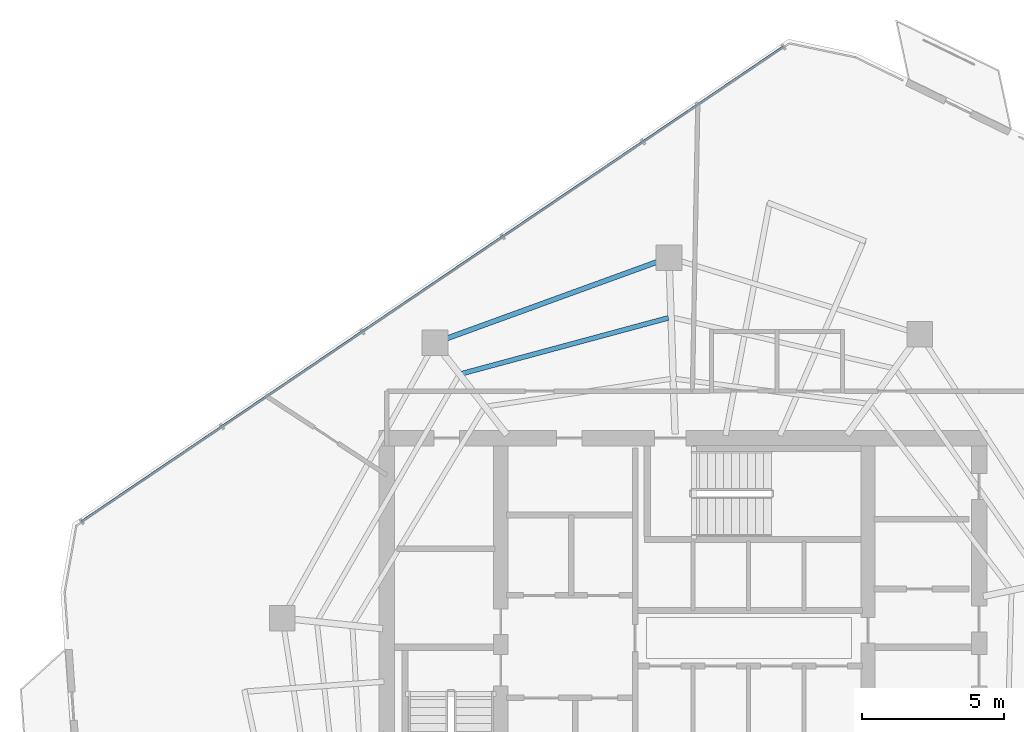
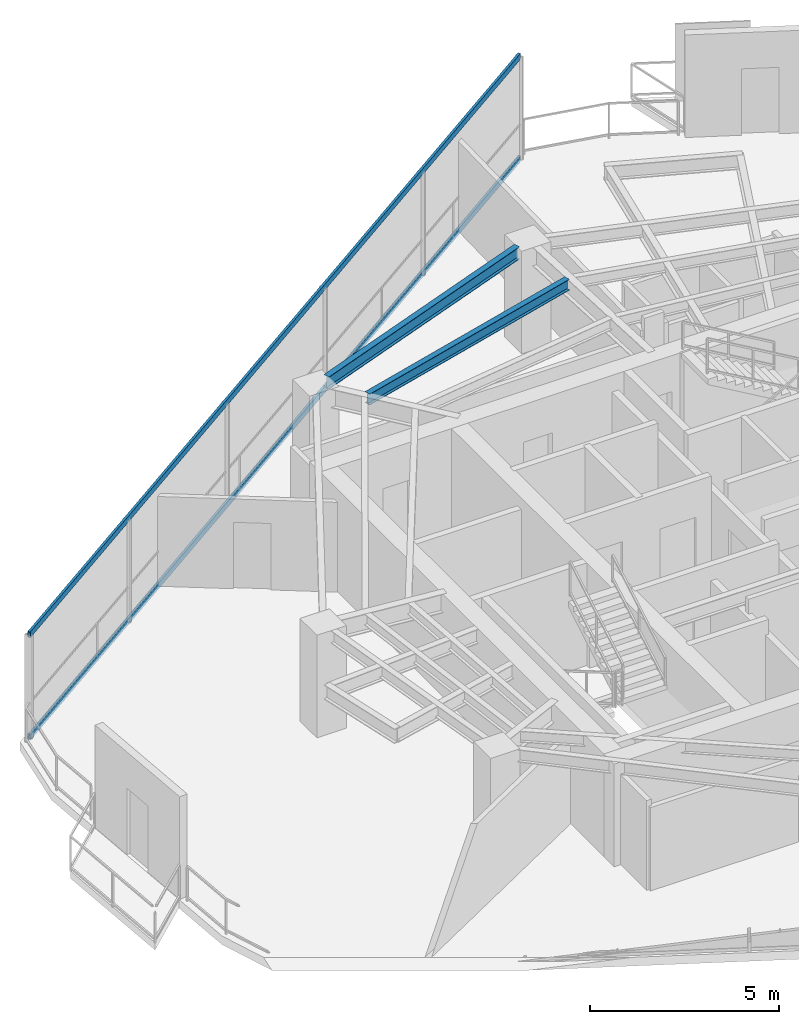
# One storey, part 13 of 20: 2 beams, 2 members, 1 element without a shape of its own.
"""IFC4 building model written with IfcOpenShell, lengths in metres."""

from ifc_helpers import new_model, si_unit, direction, frame, origin, origin_2d, place, context, subcontext, project, spatial, hollow_rectangle, i_section, extrude, material, layer, layer_set, material_profile, profile_set, type_object, element, aggregate, save


model = new_model("IFC4")

# Units and contexts
model_context = context("Model", 3, precision=1e-05, world=origin(), true_north=direction((0.0, 1.0)))
body_context = subcontext(model_context, "Body", "Model", "MODEL_VIEW")
ifc_project = project(units=[si_unit("LENGTHUNIT", "METRE"), si_unit("AREAUNIT", "SQUARE_METRE"), si_unit("VOLUMEUNIT", "CUBIC_METRE"), si_unit("PLANEANGLEUNIT", "RADIAN"), si_unit("MASSUNIT", "GRAM", prefix="KILO")], contexts=[model_context])

# Site, building, storey
site_placement = place(None, origin())
site = spatial("IfcSite", under=ifc_project, at=site_placement, CompositionType="ELEMENT")
building_placement = place(site_placement, origin())
building = spatial("IfcBuilding", under=site, at=building_placement, Name="Qarnah Convention Tower", CompositionType="ELEMENT")
storey_placement = place(building_placement, frame((0.0, 0.0, 195.0)))
storey = spatial("IfcBuildingStorey", under=building, at=storey_placement, Name="L52", CompositionType="ELEMENT", Elevation=195.0)

# Beams
ifc_material_1 = material(Name="Structural steel S355JR", Category="steel")
ifc_material_profile_1 = material_profile(ifc_material_1, i_section(OverallWidth=0.172119140625, OverallDepth=0.35595703125, WebThickness=0.007080078125, FlangeThickness=0.011962890625, at=origin_2d()), Name="W360X51")
ifc_profile_set_1 = profile_set([ifc_material_profile_1], Name="Structural steel S355JR")
beam_type_1 = type_object("IfcBeamType", Name="BM-JST-W360", PredefinedType="JOIST", material=ifc_profile_set_1)
beam_1_placement = place(storey_placement, frame((36.69189453125, 38.425048828125, 3.14208984375), z_axis=(-0.965438568588, -0.260630716308, 0.0), x_axis=(0.260630716308, -0.965438568588, 0.0)))
element("IfcBeam", 1, at=beam_1_placement, inside=storey, type_object=beam_type_1, Name="L52 joist BM-L52-SJST-03", PredefinedType="JOIST", context=body_context, shape_type="SweptSolid", body=[
    extrude(i_section(OverallWidth=0.172119140625, OverallDepth=0.35595703125, WebThickness=0.007080078125, FlangeThickness=0.011962890625, at=origin_2d()), origin(), (0.0, 0.0, 1.0), 7.5126953125),
])
ifc_material_profile_2 = material_profile(ifc_material_1, i_section(OverallWidth=0.179931640625, OverallDepth=0.39990234375, WebThickness=0.009033203125, FlangeThickness=0.013916015625, at=origin_2d()), Name="IPE400")
ifc_profile_set_2 = profile_set([ifc_material_profile_2], Name="Structural steel S355JR")
beam_type_2 = type_object("IfcBeamType", Name="BM-SPN-IPE400", PredefinedType="SPANDREL", material=ifc_profile_set_2)
beam_2_placement = place(storey_placement, frame((36.29296875, 40.39111328125, 3.1201171875), z_axis=(-0.939665594936, -0.342094387112, 0.0), x_axis=(0.342094387112, -0.939665594936, 0.0)))
element("IfcBeam", 2, at=beam_2_placement, inside=storey, type_object=beam_type_2, Name="L52 spandrel BM-L52-SPN-03", PredefinedType="SPANDREL", context=body_context, shape_type="SweptSolid", body=[
    extrude(i_section(OverallWidth=0.179931640625, OverallDepth=0.39990234375, WebThickness=0.009033203125, FlangeThickness=0.013916015625, at=origin_2d()), origin(), (0.0, 0.0, 1.0), 7.86669921875),
])

# Curtain wall, members
ifc_material_2 = material(Name="Tempered Low-E dark glass", Category="glass")
ifc_layer = layer(ifc_material_2, 0.174072265625)
ifc_layer_set = layer_set([ifc_layer], Name="Tempered Low-E dark glass")
curtain_wall_type = type_object("IfcCurtainWallType", Name="CWS-04", PredefinedType="NOTDEFINED", material=ifc_layer_set)
curtain_wall_placement = place(storey_placement, origin())
curtain_wall = element("IfcCurtainWall", 3, at=curtain_wall_placement, inside=storey, type_object=curtain_wall_type, Name="L52 unitised curtain wall CW-L52-F1", PredefinedType="NOTDEFINED")
ifc_material_3 = material(Name="Black anodised aluminium", Category="aluminium")
ifc_material_profile_3 = material_profile(ifc_material_3, hollow_rectangle(XDim=0.074951171875, YDim=0.18994140625, WallThickness=0.0048828125, at=origin_2d()), Name="TRN-75X190")
ifc_profile_set_3 = profile_set([ifc_material_profile_3], Name="Black anodised aluminium")
member_type = type_object("IfcMemberType", Name="TRN-T4", PredefinedType="USERDEFINED", material=ifc_profile_set_3)
member_1_placement = place(storey_placement, frame((16.08203125, 31.27490234375, 0.0), z_axis=(0.828247230909, 0.560362850743, 0.0), x_axis=(-0.560362850743, 0.828247230909, 0.0)))
member_1 = element("IfcMember", 4, at=member_1_placement, type_object=member_type, Name="CW-L52-F1 transom 1", ObjectType="TRANSOM", PredefinedType="USERDEFINED", context=body_context, shape_type="SweptSolid", body=[
    extrude(hollow_rectangle(XDim=0.074951171875, YDim=0.18994140625, WallThickness=0.0048828125, at=origin_2d()), origin(), (0.0, 0.0, 1.0), 29.750732421875),
])
member_2_placement = place(storey_placement, frame((16.08203125, 31.27490234375, 3.320068359375), z_axis=(0.828247230909, 0.560362850743, 0.0), x_axis=(-0.560362850743, 0.828247230909, 0.0)))
member_2 = element("IfcMember", 5, at=member_2_placement, type_object=member_type, Name="CW-L52-F1 transom 2", ObjectType="TRANSOM", PredefinedType="USERDEFINED", context=body_context, shape_type="SweptSolid", body=[
    extrude(hollow_rectangle(XDim=0.074951171875, YDim=0.18994140625, WallThickness=0.0048828125, at=origin_2d()), origin(), (0.0, 0.0, 1.0), 29.750732421875),
])
aggregate(curtain_wall, [member_1, member_2])

save(model, "model.ifc")
